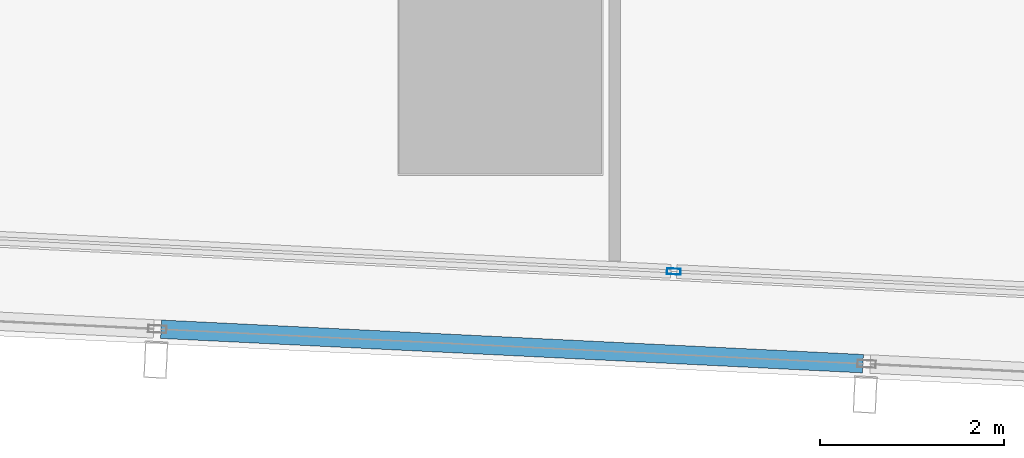
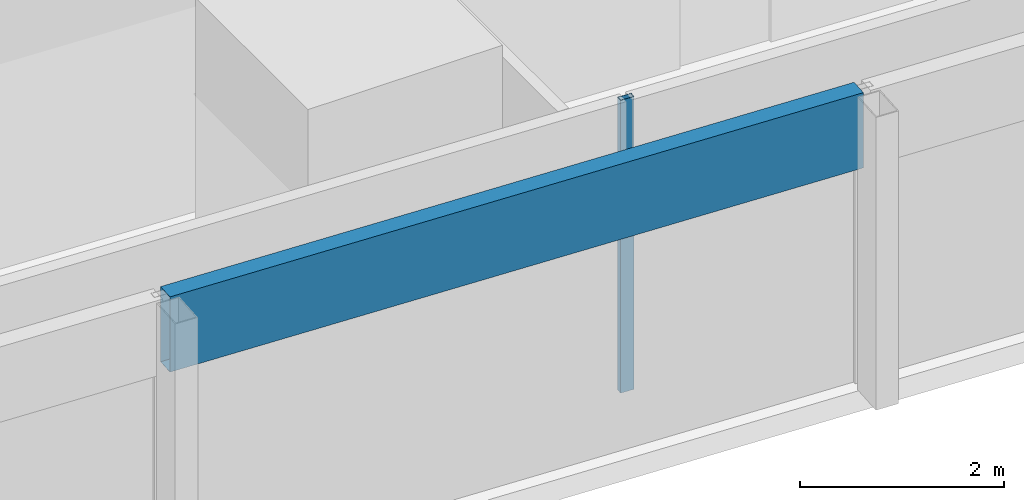
# One storey, part 6 of 45: 2 members, 2 elements without a shape of their own.
"""IFC4 building model written with IfcOpenShell, lengths in metres."""

import ifcopenshell
import ifcopenshell.guid

model = None  # the IFC model being written
_history = None  # IfcOwnerHistory: only IFC2X3 demands one
_inside = {}  # id of a spatial element -> (the spatial element, [elements in it])
_under = {}  # id of a project, library or spatial element -> (it, [spatial elements below it])
_declared = {}  # id of a project -> (the project, [libraries it declares])
_typed = {}  # id of a type object -> (the type object, [elements of that type])
_made_of = {}  # id of a material, layer set ... -> (it, [elements and type objects made of it])


def new_model(schema):
    """Start an empty IFC model of exactly this schema.

    Asked for "IFC4X3", IfcOpenShell would pick the latest addendum, in which some entities
    have other attributes; the version numbers below select the first issue.
    IFC2X3 requires an IfcOwnerHistory on every rooted entity: one is made here for all.
    """
    global model, _history
    if schema == "IFC4X3":
        model = ifcopenshell.file(schema_version=(4, 3, 0, 0))
    else:
        model = ifcopenshell.file(schema=schema)
    _inside.clear()
    _under.clear()
    _declared.clear()
    _typed.clear()
    _made_of.clear()
    _history = None
    if model.schema == "IFC2X3":
        org = make("IfcOrganization", Name="unknown")
        user = make(
            "IfcPersonAndOrganization",
            ThePerson=make("IfcPerson", FamilyName="unknown"),
            TheOrganization=org,
        )
        app = make(
            "IfcApplication",
            ApplicationDeveloper=org,
            Version="unknown",
            ApplicationFullName="unknown",
            ApplicationIdentifier="unknown",
        )
        _history = make(
            "IfcOwnerHistory",
            OwningUser=user,
            OwningApplication=app,
            ChangeAction="ADDED",
            CreationDate=0,
        )
    return model


def make(cls, **values):
    """One entity of the class cls with the attributes given. An attribute that is None is left unset."""
    return model.create_entity(
        cls, **{name: value for name, value in values.items() if value is not None}
    )


def rooted(cls, **values):
    """An entity with a GlobalId (a new one), such as an element, a storey or a relation."""
    return make(cls, GlobalId=ifcopenshell.guid.new(), OwnerHistory=_history, **values)


def si_unit(unit_type, name, prefix=None):
    """IfcSIUnit, for example si_unit("LENGTHUNIT", "METRE", prefix="MILLI")."""
    return make("IfcSIUnit", UnitType=unit_type, Prefix=prefix, Name=name)


def assignment(units):
    """IfcUnitAssignment: the units of a project."""
    return None if units is None else make("IfcUnitAssignment", Units=units)


def point(xyz):
    """IfcCartesianPoint."""
    return None if xyz is None else make("IfcCartesianPoint", Coordinates=xyz)


def direction(xyz):
    """IfcDirection."""
    return None if xyz is None else make("IfcDirection", DirectionRatios=xyz)


def frame(location, z_axis=None, x_axis=None):
    """IfcAxis2Placement3D, a coordinate frame: its origin and axes. An axis left out is left unset."""
    return make(
        "IfcAxis2Placement3D",
        Location=point(location),
        Axis=direction(z_axis),
        RefDirection=direction(x_axis),
    )


def frame_2d(location, x_axis=None):
    """IfcAxis2Placement2D, a coordinate frame in the plane: its origin and x axis."""
    return make(
        "IfcAxis2Placement2D", Location=point(location), RefDirection=direction(x_axis)
    )


def origin():
    """The frame at (0, 0, 0) with its axes left unset."""
    return frame((0.0, 0.0, 0.0))


def origin_2d():
    """The frame at (0, 0) in the plane with its x axis left unset."""
    return frame_2d((0.0, 0.0))


def place(relative_to, where):
    """IfcLocalPlacement: puts the frame where relative to a parent placement (None: the world)."""
    return make(
        "IfcLocalPlacement", PlacementRelTo=relative_to, RelativePlacement=where
    )


def context(
    kind, dimensions, precision=None, world=None, true_north=None, identifier=None
):
    """IfcGeometricRepresentationContext, for example the 3D "Model" context."""
    return make(
        "IfcGeometricRepresentationContext",
        ContextIdentifier=identifier,
        ContextType=kind,
        CoordinateSpaceDimension=dimensions,
        Precision=precision,
        WorldCoordinateSystem=world,
        TrueNorth=true_north,
    )


def subcontext(parent, identifier, kind, view, scale=None):
    """IfcGeometricRepresentationSubContext, for example "Body" below "Model"."""
    return make(
        "IfcGeometricRepresentationSubContext",
        ContextIdentifier=identifier,
        ContextType=kind,
        ParentContext=parent,
        TargetScale=scale,
        TargetView=view,
    )


def project(units=None, contexts=None):
    """IfcProject with its units and contexts."""
    return rooted(
        "IfcProject",
        Name="project",
        RepresentationContexts=contexts,
        UnitsInContext=assignment(units),
    )


def spatial(cls, under=None, at=None, **own):
    """A site, building, storey or space (cls), placed at a placement, below another one or the project."""
    s = rooted(cls, ObjectPlacement=at, **own)
    if under is not None:
        _under.setdefault(under.id(), (under, []))[1].append(s)
    return s


def profile(cls, at=None, kind="AREA", **sizes):
    """A parametric profile (cls). Its sizes go by their IFC names, for example OverallWidth=200.0."""
    return make(cls, ProfileType=kind, Position=at, **sizes)


def hollow_rectangle(**sizes):
    """IfcRectangleHollowProfileDef."""
    return profile("IfcRectangleHollowProfileDef", **sizes)


def extrude(swept, where, along, depth):
    """IfcExtrudedAreaSolid: the profile swept, set in the frame where, extruded along a direction by depth."""
    return make(
        "IfcExtrudedAreaSolid",
        SweptArea=swept,
        Position=where,
        ExtrudedDirection=direction(along),
        Depth=depth,
    )


def shape(context_of_items, identifier, shape_type, items):
    """IfcShapeRepresentation: the items that make up one representation, for example the "Body"."""
    return make(
        "IfcShapeRepresentation",
        ContextOfItems=context_of_items,
        RepresentationIdentifier=identifier,
        RepresentationType=shape_type,
        Items=items,
    )


def material(Name=None, Category=None):
    """IfcMaterial."""
    return make("IfcMaterial", Name=Name, Category=Category)


def material_profile(
    of_material, cross_section, Name=None, Category=None, Priority=None
):
    """IfcMaterialProfile: a cross section and its material."""
    return make(
        "IfcMaterialProfile",
        Name=Name,
        Material=of_material,
        Profile=cross_section,
        Priority=Priority,
        Category=Category,
    )


def profile_set(profiles, Name=None, composite=None):
    """IfcMaterialProfileSet."""
    return make(
        "IfcMaterialProfileSet",
        Name=Name,
        MaterialProfiles=profiles,
        CompositeProfile=composite,
    )


def made_of(thing, what):
    """Note that an element or type object is made of a material, layer set ...; save() writes the relation."""
    if what is not None:
        _made_of.setdefault(what.id(), (what, []))[1].append(thing)
    return thing


def type_object(cls, material=None, **own):
    """A type object (cls), such as IfcWallType, which elements share."""
    return made_of(rooted(cls, **own), material)


def element(
    cls,
    number,
    at=None,
    inside=None,
    cuts=None,
    type_object=None,
    material=None,
    context=None,
    identifier="Body",
    shape_type=None,
    held_by="IfcProductDefinitionShape",
    body=None,
    shapes=None,
    **own,
):
    """One element of the class cls, such as IfcWall. Its Tag is "e" and its number.

    at: its placement. inside: the storey or other place that contains it. cuts: it is an
    opening in that element (IfcRelVoidsElement). A single representation is given by context,
    identifier, shape_type and body (its items); several are given by shapes. held_by: the class
    of the entity that holds the representations. save() writes the other relations.
    """
    e = rooted(cls, Tag="e%d" % number, ObjectPlacement=at, **own)
    if body is not None:
        shapes = [shape(context, identifier, shape_type, body)]
    if shapes is not None:
        e.Representation = make(held_by, Representations=shapes)
    if inside is not None:
        _inside.setdefault(inside.id(), (inside, []))[1].append(e)
    if cuts is not None:
        rooted(
            "IfcRelVoidsElement", RelatingBuildingElement=cuts, RelatedOpeningElement=e
        )
    if type_object is not None:
        _typed.setdefault(type_object.id(), (type_object, []))[1].append(e)
    return made_of(e, material)


def aggregate(whole, parts):
    """IfcRelAggregates: a whole, such as a stair, and the parts it consists of."""
    return rooted("IfcRelAggregates", RelatingObject=whole, RelatedObjects=parts)


def save(model, path):
    """Write the relations noted so far, then the file.

    IfcRelAggregates (storeys below a building ...), IfcRelContainedInSpatialStructure (elements
    in a storey), IfcRelDefinesByType, IfcRelAssociatesMaterial and IfcRelDeclares: one each for
    every whole, place, type object, material and project.
    """
    for whole, parts in _under.values():
        aggregate(whole, parts)
    for where, things in _inside.values():
        rooted(
            "IfcRelContainedInSpatialStructure",
            RelatedElements=things,
            RelatingStructure=where,
        )
    for kind, things in _typed.values():
        rooted("IfcRelDefinesByType", RelatedObjects=things, RelatingType=kind)
    for what, things in _made_of.values():
        rooted("IfcRelAssociatesMaterial", RelatedObjects=things, RelatingMaterial=what)
    for by, libraries in _declared.values():
        rooted("IfcRelDeclares", RelatingContext=by, RelatedDefinitions=libraries)
    model.write(path)


model = new_model("IFC4")

# Units and contexts
model_context = context("Model", 3, precision=1e-05, world=origin(), true_north=direction((0.0, 1.0)))
body_context = subcontext(model_context, "Body", "Model", "MODEL_VIEW")
ifc_project = project(units=[si_unit("LENGTHUNIT", "METRE"), si_unit("AREAUNIT", "SQUARE_METRE"), si_unit("VOLUMEUNIT", "CUBIC_METRE"), si_unit("PLANEANGLEUNIT", "RADIAN"), si_unit("MASSUNIT", "GRAM", prefix="KILO")], contexts=[model_context])

# Site, building, storey
site_placement = place(None, origin())
site = spatial("IfcSite", under=ifc_project, at=site_placement, CompositionType="ELEMENT")
building_placement = place(site_placement, origin())
building = spatial("IfcBuilding", under=site, at=building_placement, Name="Rekha Terrace Tower", CompositionType="ELEMENT")
storey_placement = place(building_placement, frame((0.0, 0.0, 32.89990234375)))
storey = spatial("IfcBuildingStorey", under=building, at=storey_placement, Name="L07", CompositionType="ELEMENT", Elevation=32.89990234375)

# Curtain wall, member
ifc_material_1 = material(Name="Aluminium framing", Category="aluminium")
curtain_wall_type_1 = type_object("IfcCurtainWallType", Name="CW1 double skin inner glazing", PredefinedType="USERDEFINED", material=ifc_material_1)
curtain_wall_1_placement = place(storey_placement, origin())
curtain_wall_1 = element("IfcCurtainWall", 1, at=curtain_wall_1_placement, inside=storey, type_object=curtain_wall_type_1, Name="CW1 double skin inner glazing", ObjectType="DOUBLE SKIN INNER GLAZING", PredefinedType="USERDEFINED")
ifc_material_2 = material(Name="Aluminium mullion section", Category="aluminium")
ifc_material_profile_1 = material_profile(ifc_material_2, hollow_rectangle(XDim=0.06494140625, YDim=0.14990234375, WallThickness=0.00390625, at=origin_2d()), Name="AL RHS 65x150")
ifc_profile_set_1 = profile_set([ifc_material_profile_1], Name="Aluminium mullion section")
member_type_1 = type_object("IfcMemberType", Name="CW1 mullion RHS 65 x 150", PredefinedType="MULLION", material=ifc_profile_set_1)
member_1_placement = place(storey_placement, frame((35.48388671875, 6.24267578125, 0.0), z_axis=(0.0, 0.0, 1.0), x_axis=(0.049051717746, 0.998796239974, 0.0)))
member_1 = element("IfcMember", 2, at=member_1_placement, type_object=member_type_1, Name="CW1 mullion 3", PredefinedType="MULLION", context=body_context, shape_type="SweptSolid", body=[
    extrude(hollow_rectangle(XDim=0.06494140625, YDim=0.14990234375, WallThickness=0.00390625, at=origin_2d()), origin(), (0.0, 0.0, 1.0), 3.5),
])
aggregate(curtain_wall_1, [member_1])

curtain_wall_type_2 = type_object("IfcCurtainWallType", Name="CW2 double skin outer glazing", PredefinedType="USERDEFINED", material=ifc_material_1)
curtain_wall_2_placement = place(storey_placement, origin())
curtain_wall_2 = element("IfcCurtainWall", 3, at=curtain_wall_2_placement, inside=storey, type_object=curtain_wall_type_2, Name="CW2 double skin outer glazing", ObjectType="DOUBLE SKIN OUTER GLAZING", PredefinedType="USERDEFINED")
ifc_material_3 = material(Name="Insulated aluminium spandrel box", Category="aluminium")
ifc_material_profile_2 = material_profile(ifc_material_3, hollow_rectangle(XDim=0.199951171875, YDim=0.89990234375, WallThickness=0.0029296875, at=origin_2d()), Name="AL SPANDREL BOX 200x900")
ifc_profile_set_2 = profile_set([ifc_material_profile_2], Name="Insulated aluminium spandrel box")
member_type_2 = type_object("IfcMemberType", Name="CW2 spandrel transom 200 x 900", PredefinedType="USERDEFINED", material=ifc_profile_set_2)
member_2_placement = place(storey_placement, frame((29.91259765625, 5.615234375, 3.050048828125), z_axis=(0.998796434643, -0.049047753721, 0.0), x_axis=(0.049047753721, 0.998796434643, 0.0)))
member_2 = element("IfcMember", 4, at=member_2_placement, type_object=member_type_2, Name="CW2 spandrel transom 4", ObjectType="TRANSOM", PredefinedType="USERDEFINED", context=body_context, shape_type="SweptSolid", body=[
    extrude(hollow_rectangle(XDim=0.199951171875, YDim=0.89990234375, WallThickness=0.0029296875, at=origin_2d()), origin(), (0.0, 0.0, 1.0), 7.6357421875),
])
aggregate(curtain_wall_2, [member_2])

save(model, "model.ifc")
